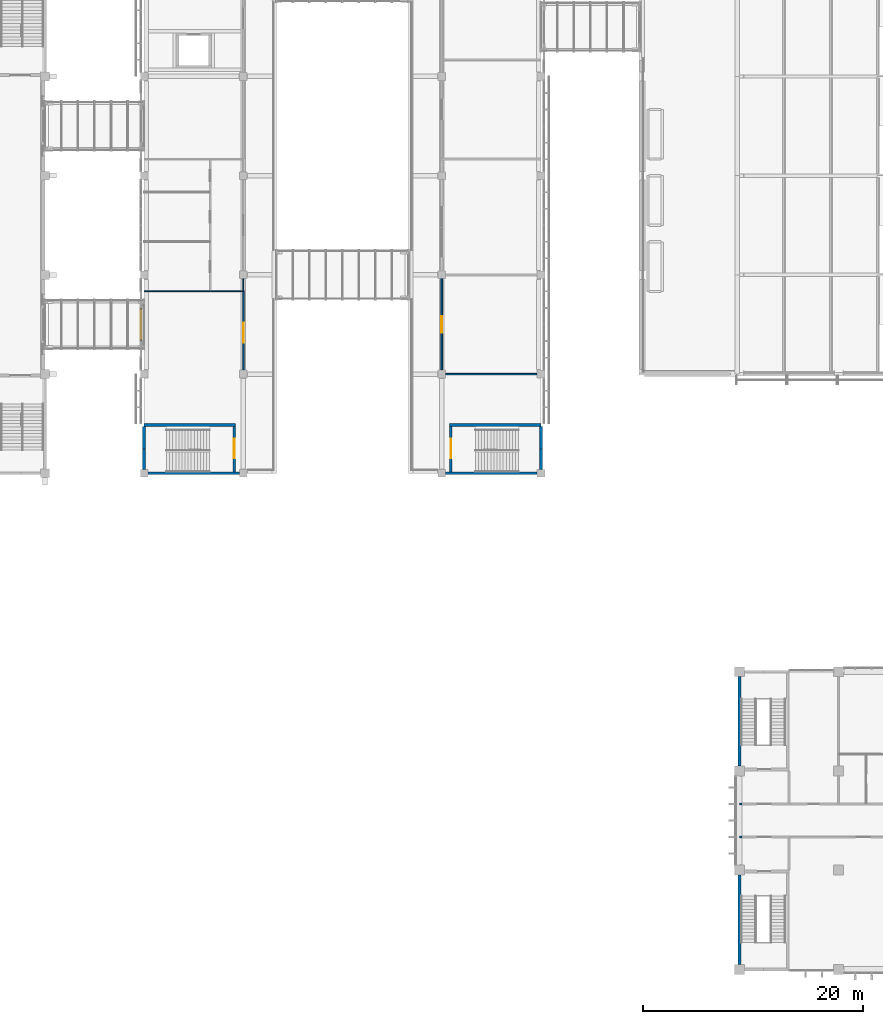
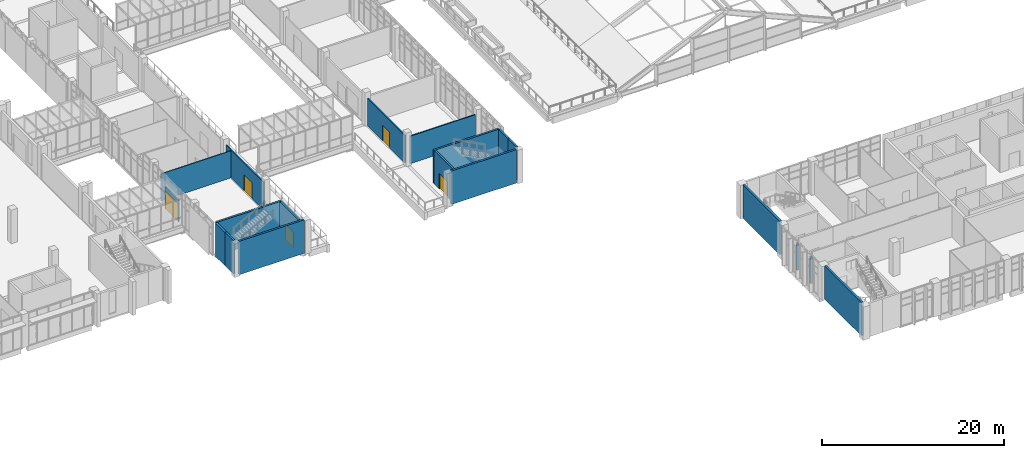
# One storey, part 70 of 106: 20 walls, 5 doors, 5 openings.
"""IFC4 building model written with IfcOpenShell, lengths in metres."""

import ifcopenshell
import ifcopenshell.guid

model = None  # the IFC model being written
_history = None  # IfcOwnerHistory: only IFC2X3 demands one
_inside = {}  # id of a spatial element -> (the spatial element, [elements in it])
_under = {}  # id of a project, library or spatial element -> (it, [spatial elements below it])
_declared = {}  # id of a project -> (the project, [libraries it declares])
_typed = {}  # id of a type object -> (the type object, [elements of that type])
_made_of = {}  # id of a material, layer set ... -> (it, [elements and type objects made of it])


def new_model(schema):
    """Start an empty IFC model of exactly this schema.

    Asked for "IFC4X3", IfcOpenShell would pick the latest addendum, in which some entities
    have other attributes; the version numbers below select the first issue.
    IFC2X3 requires an IfcOwnerHistory on every rooted entity: one is made here for all.
    """
    global model, _history
    if schema == "IFC4X3":
        model = ifcopenshell.file(schema_version=(4, 3, 0, 0))
    else:
        model = ifcopenshell.file(schema=schema)
    _inside.clear()
    _under.clear()
    _declared.clear()
    _typed.clear()
    _made_of.clear()
    _history = None
    if model.schema == "IFC2X3":
        org = make("IfcOrganization", Name="unknown")
        user = make(
            "IfcPersonAndOrganization",
            ThePerson=make("IfcPerson", FamilyName="unknown"),
            TheOrganization=org,
        )
        app = make(
            "IfcApplication",
            ApplicationDeveloper=org,
            Version="unknown",
            ApplicationFullName="unknown",
            ApplicationIdentifier="unknown",
        )
        _history = make(
            "IfcOwnerHistory",
            OwningUser=user,
            OwningApplication=app,
            ChangeAction="ADDED",
            CreationDate=0,
        )
    return model


def make(cls, **values):
    """One entity of the class cls with the attributes given. An attribute that is None is left unset."""
    return model.create_entity(
        cls, **{name: value for name, value in values.items() if value is not None}
    )


def rooted(cls, **values):
    """An entity with a GlobalId (a new one), such as an element, a storey or a relation."""
    return make(cls, GlobalId=ifcopenshell.guid.new(), OwnerHistory=_history, **values)


def si_unit(unit_type, name, prefix=None):
    """IfcSIUnit, for example si_unit("LENGTHUNIT", "METRE", prefix="MILLI")."""
    return make("IfcSIUnit", UnitType=unit_type, Prefix=prefix, Name=name)


def assignment(units):
    """IfcUnitAssignment: the units of a project."""
    return None if units is None else make("IfcUnitAssignment", Units=units)


def point(xyz):
    """IfcCartesianPoint."""
    return None if xyz is None else make("IfcCartesianPoint", Coordinates=xyz)


def direction(xyz):
    """IfcDirection."""
    return None if xyz is None else make("IfcDirection", DirectionRatios=xyz)


def frame(location, z_axis=None, x_axis=None):
    """IfcAxis2Placement3D, a coordinate frame: its origin and axes. An axis left out is left unset."""
    return make(
        "IfcAxis2Placement3D",
        Location=point(location),
        Axis=direction(z_axis),
        RefDirection=direction(x_axis),
    )


def frame_2d(location, x_axis=None):
    """IfcAxis2Placement2D, a coordinate frame in the plane: its origin and x axis."""
    return make(
        "IfcAxis2Placement2D", Location=point(location), RefDirection=direction(x_axis)
    )


def origin():
    """The frame at (0, 0, 0) with its axes left unset."""
    return frame((0.0, 0.0, 0.0))


def place(relative_to, where):
    """IfcLocalPlacement: puts the frame where relative to a parent placement (None: the world)."""
    return make(
        "IfcLocalPlacement", PlacementRelTo=relative_to, RelativePlacement=where
    )


def context(
    kind, dimensions, precision=None, world=None, true_north=None, identifier=None
):
    """IfcGeometricRepresentationContext, for example the 3D "Model" context."""
    return make(
        "IfcGeometricRepresentationContext",
        ContextIdentifier=identifier,
        ContextType=kind,
        CoordinateSpaceDimension=dimensions,
        Precision=precision,
        WorldCoordinateSystem=world,
        TrueNorth=true_north,
    )


def subcontext(parent, identifier, kind, view, scale=None):
    """IfcGeometricRepresentationSubContext, for example "Body" below "Model"."""
    return make(
        "IfcGeometricRepresentationSubContext",
        ContextIdentifier=identifier,
        ContextType=kind,
        ParentContext=parent,
        TargetScale=scale,
        TargetView=view,
    )


def project(units=None, contexts=None):
    """IfcProject with its units and contexts."""
    return rooted(
        "IfcProject",
        Name="project",
        RepresentationContexts=contexts,
        UnitsInContext=assignment(units),
    )


def spatial(cls, under=None, at=None, **own):
    """A site, building, storey or space (cls), placed at a placement, below another one or the project."""
    s = rooted(cls, ObjectPlacement=at, **own)
    if under is not None:
        _under.setdefault(under.id(), (under, []))[1].append(s)
    return s


def profile(cls, at=None, kind="AREA", **sizes):
    """A parametric profile (cls). Its sizes go by their IFC names, for example OverallWidth=200.0."""
    return make(cls, ProfileType=kind, Position=at, **sizes)


def rectangle(**sizes):
    """IfcRectangleProfileDef."""
    return profile("IfcRectangleProfileDef", **sizes)


def extrude(swept, where, along, depth):
    """IfcExtrudedAreaSolid: the profile swept, set in the frame where, extruded along a direction by depth."""
    return make(
        "IfcExtrudedAreaSolid",
        SweptArea=swept,
        Position=where,
        ExtrudedDirection=direction(along),
        Depth=depth,
    )


def shape(context_of_items, identifier, shape_type, items):
    """IfcShapeRepresentation: the items that make up one representation, for example the "Body"."""
    return make(
        "IfcShapeRepresentation",
        ContextOfItems=context_of_items,
        RepresentationIdentifier=identifier,
        RepresentationType=shape_type,
        Items=items,
    )


def material(Name=None, Category=None):
    """IfcMaterial."""
    return make("IfcMaterial", Name=Name, Category=Category)


def layer(
    of_material, thickness, ventilated=None, Name=None, Category=None, Priority=None
):
    """IfcMaterialLayer: one layer of a wall or slab, of a material (None: an air gap)."""
    return make(
        "IfcMaterialLayer",
        Material=of_material,
        LayerThickness=thickness,
        IsVentilated=ventilated,
        Name=Name,
        Category=Category,
        Priority=Priority,
    )


def layer_set(layers, Name=None):
    """IfcMaterialLayerSet."""
    return make("IfcMaterialLayerSet", MaterialLayers=layers, LayerSetName=Name)


def made_of(thing, what):
    """Note that an element or type object is made of a material, layer set ...; save() writes the relation."""
    if what is not None:
        _made_of.setdefault(what.id(), (what, []))[1].append(thing)
    return thing


def type_object(cls, material=None, **own):
    """A type object (cls), such as IfcWallType, which elements share."""
    return made_of(rooted(cls, **own), material)


def element(
    cls,
    number,
    at=None,
    inside=None,
    cuts=None,
    type_object=None,
    material=None,
    context=None,
    identifier="Body",
    shape_type=None,
    held_by="IfcProductDefinitionShape",
    body=None,
    shapes=None,
    **own,
):
    """One element of the class cls, such as IfcWall. Its Tag is "e" and its number.

    at: its placement. inside: the storey or other place that contains it. cuts: it is an
    opening in that element (IfcRelVoidsElement). A single representation is given by context,
    identifier, shape_type and body (its items); several are given by shapes. held_by: the class
    of the entity that holds the representations. save() writes the other relations.
    """
    e = rooted(cls, Tag="e%d" % number, ObjectPlacement=at, **own)
    if body is not None:
        shapes = [shape(context, identifier, shape_type, body)]
    if shapes is not None:
        e.Representation = make(held_by, Representations=shapes)
    if inside is not None:
        _inside.setdefault(inside.id(), (inside, []))[1].append(e)
    if cuts is not None:
        rooted(
            "IfcRelVoidsElement", RelatingBuildingElement=cuts, RelatedOpeningElement=e
        )
    if type_object is not None:
        _typed.setdefault(type_object.id(), (type_object, []))[1].append(e)
    return made_of(e, material)


def fill(opening, filler):
    """IfcRelFillsElement: the door or window that sits in an opening."""
    return rooted(
        "IfcRelFillsElement",
        RelatingOpeningElement=opening,
        RelatedBuildingElement=filler,
    )


def aggregate(whole, parts):
    """IfcRelAggregates: a whole, such as a stair, and the parts it consists of."""
    return rooted("IfcRelAggregates", RelatingObject=whole, RelatedObjects=parts)


def save(model, path):
    """Write the relations noted so far, then the file.

    IfcRelAggregates (storeys below a building ...), IfcRelContainedInSpatialStructure (elements
    in a storey), IfcRelDefinesByType, IfcRelAssociatesMaterial and IfcRelDeclares: one each for
    every whole, place, type object, material and project.
    """
    for whole, parts in _under.values():
        aggregate(whole, parts)
    for where, things in _inside.values():
        rooted(
            "IfcRelContainedInSpatialStructure",
            RelatedElements=things,
            RelatingStructure=where,
        )
    for kind, things in _typed.values():
        rooted("IfcRelDefinesByType", RelatedObjects=things, RelatingType=kind)
    for what, things in _made_of.values():
        rooted("IfcRelAssociatesMaterial", RelatedObjects=things, RelatingMaterial=what)
    for by, libraries in _declared.values():
        rooted("IfcRelDeclares", RelatingContext=by, RelatedDefinitions=libraries)
    model.write(path)


model = new_model("IFC4")

# Units and contexts
model_context = context("Model", 3, precision=1e-05, world=origin(), true_north=direction((0.0, 1.0)))
body_context = subcontext(model_context, "Body", "Model", "MODEL_VIEW")
ifc_project = project(units=[si_unit("LENGTHUNIT", "METRE"), si_unit("AREAUNIT", "SQUARE_METRE"), si_unit("VOLUMEUNIT", "CUBIC_METRE"), si_unit("PLANEANGLEUNIT", "RADIAN"), si_unit("MASSUNIT", "GRAM", prefix="KILO")], contexts=[model_context])

# Site, building, storey
site_placement = place(None, origin())
site = spatial("IfcSite", under=ifc_project, at=site_placement, CompositionType="ELEMENT")
building_placement = place(site_placement, origin())
building = spatial("IfcBuilding", under=site, at=building_placement, Name="Guidao Yard Department Store", CompositionType="ELEMENT")
storey_placement = place(building_placement, frame((0.0, 0.0, 10.5)))
storey = spatial("IfcBuildingStorey", under=building, at=storey_placement, Name="L02", CompositionType="ELEMENT", Elevation=10.5)

# Wall, opening, door
ifc_material_1 = material(Name="Aluminium 6063-T5", Category="aluminium")
ifc_layer_1 = layer(ifc_material_1, 0.1201171875)
ifc_layer_set_1 = layer_set([ifc_layer_1], Name="Glazing frame wall 120")
wall_type_1 = type_object("IfcWallType", Name="Glazing frame wall 120", PredefinedType="STANDARD", material=ifc_layer_set_1)
wall_1_placement = place(storey_placement, frame((71.719970703125, 57.030029296875, 0.0), z_axis=(0.0, 0.0, 1.0), x_axis=(0.0, 1.0, 0.0)))
wall_1 = element("IfcWall", 1, at=wall_1_placement, inside=storey, type_object=wall_type_1, Name="Frame wall for Bridge door BR03", PredefinedType="STANDARD", context=body_context, shape_type="SweptSolid", body=[
    extrude(rectangle(XDim=2.93994140625, YDim=0.1201171875, at=frame_2d((1.469970703125, 0.0))), origin(), (0.0, 0.0, 1.0), 2.969970703125),
])
opening_1_placement = place(wall_1_placement, frame((0.070068359375, 0.0, 0.0)))
opening_1 = element("IfcOpeningElement", 2, at=opening_1_placement, cuts=wall_1, Name="Opening L02-852", PredefinedType="OPENING", context=body_context, shape_type="SweptSolid", body=[
    extrude(rectangle(XDim=2.800048828125, YDim=2.39990234375, at=frame_2d((1.39990234375, 1.199951171875))), frame((0.0, 0.070068359375, 0.0), z_axis=(0.0, -1.0, 0.0), x_axis=(1.0, 0.0, 0.0)), (0.0, 0.0, 1.0), 0.14013671875),
])
ifc_material_2 = material(Name="Fire-resistant glass in steel frame", Category="steel")
door_type_1 = type_object("IfcDoorType", Name="Bridge door BD1 2800 x 2400 fire-rated glazed double leaf", OperationType="DOUBLE_DOOR_SINGLE_SWING", PredefinedType="DOOR", material=ifc_material_2)
door_1_placement = place(opening_1_placement, origin())
door_1 = element("IfcDoor", 3, at=door_1_placement, inside=storey, type_object=door_type_1, Name="Bridge door BR03", OperationType="DOUBLE_DOOR_SINGLE_SWING", OverallHeight=2.39990234375, OverallWidth=2.800048828125, PredefinedType="DOOR", context=body_context, shape_type="SweptSolid", body=[
    extrude(rectangle(XDim=2.800048828125, YDim=2.39990234375, at=frame_2d((1.39990234375, 1.199951171875))), frame((0.0, 0.02490234375, 0.0), z_axis=(0.0, -1.0, 0.0), x_axis=(1.0, 0.0, 0.0)), (0.0, 0.0, 1.0), 0.050048828125),
])
fill(opening_1, door_1)

# Walls
ifc_material_3 = material(Name="Gypsum board on Steel Q235 studs", Category="steel")
ifc_layer_2 = layer(ifc_material_3, 0.10009765625)
ifc_layer_set_2 = layer_set([ifc_layer_2], Name="Partition P1 100 mm gypsum board EI 30")
wall_type_2 = type_object("IfcWallType", Name="Partition P1 100 mm gypsum board EI 30", PredefinedType="PARTITIONING", material=ifc_layer_set_2)
wall_2_placement = place(storey_placement, frame((72.0, 61.5, 0.0), z_axis=(0.0, 0.0, 1.0), x_axis=(1.0, 0.0, 0.0)))
element("IfcWall", 4, at=wall_2_placement, inside=storey, type_object=wall_type_2, Name="Wall W-AL02-004", PredefinedType="PARTITIONING", context=body_context, shape_type="SweptSolid", body=[
    extrude(rectangle(XDim=9.074951171875, YDim=0.10009765625, at=frame_2d((4.53759765625, 0.0))), origin(), (0.0, 0.0, 1.0), 3.64990234375),
])
wall_3_placement = place(storey_placement, frame((81.0, 61.550048828125, 0.0), z_axis=(0.0, 0.0, 1.0), x_axis=(0.0, 1.0, 0.0)))
element("IfcWall", 5, at=wall_3_placement, inside=storey, type_object=wall_type_2, Name="Wall W-AL02-006", PredefinedType="PARTITIONING", context=body_context, shape_type="SweptSolid", body=[
    extrude(rectangle(XDim=1.099853515625, YDim=0.10009765625, at=frame_2d((0.5498046875, 0.0))), origin(), (0.0, 0.0, 1.0), 3.699951171875),
])
ifc_material_4 = material(Name="Autoclaved aerated concrete block A3.5 B06", Category="concrete")
ifc_layer_3 = layer(ifc_material_4, 0.199951171875)
ifc_layer_set_3 = layer_set([ifc_layer_3], Name="Shaft Wall 200 Autoclaved Block EI 120")
wall_type_3 = type_object("IfcWallType", Name="Shaft Wall 200 Autoclaved Block EI 120", PredefinedType="PARTITIONING", material=ifc_layer_set_3)
for number, where, z_axis, x_axis, name in (
    (6, (126.0, 12.0, 0.0), (0.0, 0.0, 1.0), (1.0, 0.0, 0.0), "pt.wall.L02.0005"),
    (7, (126.0, 15.0, 0.0), (0.0, 0.0, 1.0), (1.0, 0.0, 0.0), "pt.wall.L02.0009"),
):
    element("IfcWall", number, at=place(storey_placement, frame(where, z_axis=z_axis, x_axis=x_axis)), inside=storey, type_object=wall_type_3, Name=name, PredefinedType="PARTITIONING", context=body_context, shape_type="SweptSolid", body=[
        extrude(rectangle(XDim=0.25, YDim=0.199951171875, at=frame_2d((0.125, 0.0))), origin(), (0.0, 0.0, 1.0), 3.60009765625),
    ])
ifc_material_5 = material(Name="Concrete block MU10", Category="concrete")
ifc_layer_4 = layer(ifc_material_5, 0.14990234375)
ifc_layer_set_4 = layer_set([ifc_layer_4], Name="Wall P2 150 mm blockwork EI 60")
wall_type_4 = type_object("IfcWallType", Name="Wall P2 150 mm blockwork EI 60", PredefinedType="PARTITIONING", material=ifc_layer_set_4)
wall_4_placement = place(storey_placement, frame((99.35009765625, 54.0, 0.0), z_axis=(0.0, 0.0, 1.0), x_axis=(1.0, 0.0, 0.0)))
element("IfcWall", 8, at=wall_4_placement, inside=storey, type_object=wall_type_4, Name="Wall W-AL02-001", PredefinedType="PARTITIONING", context=body_context, shape_type="SweptSolid", body=[
    extrude(rectangle(XDim=8.2998046875, YDim=0.14990234375, at=frame_2d((4.14990234375, 0.0))), origin(), (0.0, 0.0, 1.0), 3.699951171875),
])

# Wall, opening, door
wall_5_placement = place(storey_placement, frame((81.0, 54.35009765625, 0.0), z_axis=(0.0, 0.0, 1.0), x_axis=(0.0, 1.0, 0.0)))
wall_5 = element("IfcWall", 9, at=wall_5_placement, inside=storey, type_object=wall_type_4, Name="Wall W-AL02-002", PredefinedType="PARTITIONING", context=body_context, shape_type="SweptSolid", body=[
    extrude(rectangle(XDim=7.099853515625, YDim=0.14990234375, at=frame_2d((3.5498046875, 0.0))), origin(), (0.0, 0.0, 1.0), 3.699951171875),
])
opening_2_placement = place(wall_5_placement, frame((2.5, 0.0, 0.0)))
opening_2 = element("IfcOpeningElement", 10, at=opening_2_placement, cuts=wall_5, Name="Opening AL02-001", PredefinedType="OPENING", context=body_context, shape_type="SweptSolid", body=[
    extrude(rectangle(XDim=1.800048828125, YDim=2.10009765625, at=frame_2d((0.89990234375, 1.050048828125))), frame((0.0, 0.0849609375, 0.0), z_axis=(0.0, -1.0, 0.0), x_axis=(1.0, 0.0, 0.0)), (0.0, 0.0, 1.0), 0.169921875),
])
ifc_material_6 = material(Name="Steel Q235", Category="steel")
door_type_2 = type_object("IfcDoorType", Name="Door FD5 double 1800 x 2100 FD60", OperationType="DOUBLE_DOOR_SINGLE_SWING", PredefinedType="DOOR", material=ifc_material_6)
door_2_placement = place(opening_2_placement, origin())
door_2 = element("IfcDoor", 11, at=door_2_placement, inside=storey, type_object=door_type_2, Name="Door AL02-001", OperationType="DOUBLE_DOOR_SINGLE_SWING", OverallHeight=2.10009765625, OverallWidth=1.800048828125, PredefinedType="DOOR", context=body_context, shape_type="SweptSolid", body=[
    extrude(rectangle(XDim=1.800048828125, YDim=2.10009765625, at=frame_2d((0.89990234375, 1.050048828125))), frame((0.0, 0.02490234375, 0.0), z_axis=(0.0, -1.0, 0.0), x_axis=(1.0, 0.0, 0.0)), (0.0, 0.0, 1.0), 0.050048828125),
])
fill(opening_2, door_2)

wall_6_placement = place(storey_placement, frame((99.0, 54.35009765625, 0.0), z_axis=(0.0, 0.0, 1.0), x_axis=(0.0, 1.0, 0.0)))
wall_6 = element("IfcWall", 12, at=wall_6_placement, inside=storey, type_object=wall_type_4, Name="Wall W-AL02-003", PredefinedType="PARTITIONING", context=body_context, shape_type="SweptSolid", body=[
    extrude(rectangle(XDim=8.2998046875, YDim=0.14990234375, at=frame_2d((4.14990234375, 0.0))), origin(), (0.0, 0.0, 1.0), 3.699951171875),
])
opening_3_placement = place(wall_6_placement, frame((4.89990234375, 0.0, 0.0), z_axis=(0.0, 0.0, 1.0), x_axis=(-1.0, 0.0, 0.0)))
opening_3 = element("IfcOpeningElement", 13, at=opening_3_placement, cuts=wall_6, Name="Opening AL02-002", PredefinedType="OPENING", context=body_context, shape_type="SweptSolid", body=[
    extrude(rectangle(XDim=1.5, YDim=2.10009765625, at=frame_2d((0.75, 1.050048828125))), frame((0.0, 0.0849609375, 0.0), z_axis=(0.0, -1.0, 0.0), x_axis=(1.0, 0.0, 0.0)), (0.0, 0.0, 1.0), 0.169921875),
])
ifc_material_7 = material(Name="Steel Q235", Category="steel")
door_type_3 = type_object("IfcDoorType", Name="Door FD11 trolley double 1500 x 2100 FD60", OperationType="DOUBLE_DOOR_SINGLE_SWING", PredefinedType="DOOR", material=ifc_material_7)
door_3_placement = place(opening_3_placement, origin())
door_3 = element("IfcDoor", 14, at=door_3_placement, inside=storey, type_object=door_type_3, Name="Door AL02-002", OperationType="DOUBLE_DOOR_SINGLE_SWING", OverallHeight=2.10009765625, OverallWidth=1.5, PredefinedType="DOOR", context=body_context, shape_type="SweptSolid", body=[
    extrude(rectangle(XDim=1.5, YDim=2.10009765625, at=frame_2d((0.75, 1.050048828125))), frame((0.0, 0.02490234375, 0.0), z_axis=(0.0, -1.0, 0.0), x_axis=(1.0, 0.0, 0.0)), (0.0, 0.0, 1.0), 0.050048828125),
])
fill(opening_3, door_3)

# Walls
ifc_material_8 = material(Name="Concrete C40", Category="concrete")
ifc_layer_5 = layer(ifc_material_8, 0.25)
ifc_layer_set_5 = layer_set([ifc_layer_5], Name="Wall RC 250 C40 stair and shaft")
wall_type_5 = type_object("IfcWallType", Name="Wall RC 250 C40 stair and shaft", PredefinedType="SHEAR", material=ifc_layer_set_5)
wall_7_placement = place(storey_placement, frame((72.35009765625, 45.0, 0.0), z_axis=(0.0, 0.0, 1.0), x_axis=(1.0, 0.0, 0.0)))
element("IfcWall", 15, at=wall_7_placement, inside=storey, type_object=wall_type_5, Name="Stair wall SG1", PredefinedType="SHEAR", context=body_context, shape_type="SweptSolid", body=[
    extrude(rectangle(XDim=8.2998046875, YDim=0.25, at=frame_2d((4.14990234375, 0.0))), origin(), (0.0, 0.0, 1.0), 4.5),
])
wall_8_placement = place(storey_placement, frame((72.0, 49.375, 0.0), z_axis=(0.0, 0.0, 1.0), x_axis=(1.0, 0.0, 0.0)))
element("IfcWall", 16, at=wall_8_placement, inside=storey, type_object=wall_type_5, Name="Stair wall SG1", PredefinedType="SHEAR", context=body_context, shape_type="SweptSolid", body=[
    extrude(rectangle(XDim=8.300048828125, YDim=0.25, at=frame_2d((4.14990234375, 0.0))), origin(), (0.0, 0.0, 1.0), 4.5),
])
wall_9_placement = place(storey_placement, frame((72.0, 45.35009765625, 0.0), z_axis=(0.0, 0.0, 1.0), x_axis=(0.0, 1.0, 0.0)))
element("IfcWall", 17, at=wall_9_placement, inside=storey, type_object=wall_type_5, Name="Stair wall SG1", PredefinedType="SHEAR", context=body_context, shape_type="SweptSolid", body=[
    extrude(rectangle(XDim=1.837890625, YDim=0.25, at=frame_2d((0.9189453125, 0.0))), origin(), (0.0, 0.0, 1.0), 4.5),
])
wall_10_placement = place(storey_placement, frame((72.0, 47.18798828125, 0.0), z_axis=(0.0, 0.0, 1.0), x_axis=(0.0, 1.0, 0.0)))
element("IfcWall", 18, at=wall_10_placement, inside=storey, type_object=wall_type_5, Name="Stair wall SG1", PredefinedType="SHEAR", context=body_context, shape_type="SweptSolid", body=[
    extrude(rectangle(XDim=2.06201171875, YDim=0.25, at=frame_2d((1.031005859375, 0.0))), origin(), (0.0, 0.0, 1.0), 4.5),
])

# Wall, opening, door
wall_11_placement = place(storey_placement, frame((80.175048828125, 45.125, 0.0), z_axis=(0.0, 0.0, 1.0), x_axis=(0.0, 1.0, 0.0)))
wall_11 = element("IfcWall", 19, at=wall_11_placement, inside=storey, type_object=wall_type_5, Name="Stair wall SG1", PredefinedType="SHEAR", context=body_context, shape_type="SweptSolid", body=[
    extrude(rectangle(XDim=4.125, YDim=0.25, at=frame_2d((2.0625, 0.0))), origin(), (0.0, 0.0, 1.0), 4.5),
])
opening_4_placement = place(wall_11_placement, frame((3.025146484375, 0.0, 0.0), z_axis=(0.0, 0.0, 1.0), x_axis=(-1.0, 0.0, 0.0)))
opening_4 = element("IfcOpeningElement", 20, at=opening_4_placement, cuts=wall_11, Name="Opening L02-809", PredefinedType="OPENING", context=body_context, shape_type="SweptSolid", body=[
    extrude(rectangle(XDim=1.800048828125, YDim=2.10009765625, at=frame_2d((0.89990234375, 1.050048828125))), frame((0.0, 0.135009765625, 0.0), z_axis=(0.0, -1.0, 0.0), x_axis=(1.0, 0.0, 0.0)), (0.0, 0.0, 1.0), 0.27001953125),
])
ifc_material_9 = material(Name="Steel Q235", Category="steel")
door_type_4 = type_object("IfcDoorType", Name="Door fire-resisting 1800 x 2100 FD60", OperationType="DOUBLE_DOOR_SINGLE_SWING", PredefinedType="DOOR", material=ifc_material_9)
door_4_placement = place(opening_4_placement, origin())
door_4 = element("IfcDoor", 21, at=door_4_placement, inside=storey, type_object=door_type_4, Name="Stair G1 door L02", OperationType="DOUBLE_DOOR_SINGLE_SWING", OverallHeight=2.10009765625, OverallWidth=1.800048828125, PredefinedType="DOOR", context=body_context, shape_type="SweptSolid", body=[
    extrude(rectangle(XDim=1.800048828125, YDim=2.10009765625, at=frame_2d((0.89990234375, 1.050048828125))), frame((0.0, 0.02490234375, 0.0), z_axis=(0.0, -1.0, 0.0), x_axis=(1.0, 0.0, 0.0)), (0.0, 0.0, 1.0), 0.050048828125),
])
fill(opening_4, door_4)

# Walls
wall_12_placement = place(storey_placement, frame((99.35009765625, 45.0, 0.0), z_axis=(0.0, 0.0, 1.0), x_axis=(1.0, 0.0, 0.0)))
element("IfcWall", 22, at=wall_12_placement, inside=storey, type_object=wall_type_5, Name="Stair wall SG3", PredefinedType="SHEAR", context=body_context, shape_type="SweptSolid", body=[
    extrude(rectangle(XDim=8.2998046875, YDim=0.25, at=frame_2d((4.14990234375, 0.0))), origin(), (0.0, 0.0, 1.0), 4.5),
])
wall_13_placement = place(storey_placement, frame((99.699951171875, 49.375, 0.0), z_axis=(0.0, 0.0, 1.0), x_axis=(1.0, 0.0, 0.0)))
element("IfcWall", 23, at=wall_13_placement, inside=storey, type_object=wall_type_5, Name="Stair wall SG3", PredefinedType="SHEAR", context=body_context, shape_type="SweptSolid", body=[
    extrude(rectangle(XDim=8.300048828125, YDim=0.25, at=frame_2d((4.14990234375, 0.0))), origin(), (0.0, 0.0, 1.0), 4.5),
])

# Wall, opening, door
wall_14_placement = place(storey_placement, frame((99.824951171875, 45.125, 0.0), z_axis=(0.0, 0.0, 1.0), x_axis=(0.0, 1.0, 0.0)))
wall_14 = element("IfcWall", 24, at=wall_14_placement, inside=storey, type_object=wall_type_5, Name="Stair wall SG3", PredefinedType="SHEAR", context=body_context, shape_type="SweptSolid", body=[
    extrude(rectangle(XDim=4.125, YDim=0.25, at=frame_2d((2.0625, 0.0))), origin(), (0.0, 0.0, 1.0), 4.5),
])
opening_5_placement = place(wall_14_placement, frame((1.22509765625, 0.0, 0.0)))
opening_5 = element("IfcOpeningElement", 25, at=opening_5_placement, cuts=wall_14, Name="Opening L02-811", PredefinedType="OPENING", context=body_context, shape_type="SweptSolid", body=[
    extrude(rectangle(XDim=1.800048828125, YDim=2.10009765625, at=frame_2d((0.89990234375, 1.050048828125))), frame((0.0, 0.135009765625, 0.0), z_axis=(0.0, -1.0, 0.0), x_axis=(1.0, 0.0, 0.0)), (0.0, 0.0, 1.0), 0.27001953125),
])
door_5_placement = place(opening_5_placement, origin())
door_5 = element("IfcDoor", 26, at=door_5_placement, inside=storey, type_object=door_type_4, Name="Stair G3 door L02", OperationType="DOUBLE_DOOR_SINGLE_SWING", OverallHeight=2.10009765625, OverallWidth=1.800048828125, PredefinedType="DOOR", context=body_context, shape_type="SweptSolid", body=[
    extrude(rectangle(XDim=1.800048828125, YDim=2.10009765625, at=frame_2d((0.89990234375, 1.050048828125))), frame((0.0, 0.02490234375, 0.0), z_axis=(0.0, -1.0, 0.0), x_axis=(1.0, 0.0, 0.0)), (0.0, 0.0, 1.0), 0.050048828125),
])
fill(opening_5, door_5)

# Walls
wall_15_placement = place(storey_placement, frame((108.0, 45.35009765625, 0.0), z_axis=(0.0, 0.0, 1.0), x_axis=(0.0, 1.0, 0.0)))
element("IfcWall", 27, at=wall_15_placement, inside=storey, type_object=wall_type_5, Name="Stair wall SG3", PredefinedType="SHEAR", context=body_context, shape_type="SweptSolid", body=[
    extrude(rectangle(XDim=1.837890625, YDim=0.25, at=frame_2d((0.9189453125, 0.0))), origin(), (0.0, 0.0, 1.0), 4.5),
])
wall_16_placement = place(storey_placement, frame((108.0, 47.18798828125, 0.0), z_axis=(0.0, 0.0, 1.0), x_axis=(0.0, 1.0, 0.0)))
element("IfcWall", 28, at=wall_16_placement, inside=storey, type_object=wall_type_5, Name="Stair wall SG3", PredefinedType="SHEAR", context=body_context, shape_type="SweptSolid", body=[
    extrude(rectangle(XDim=2.06201171875, YDim=0.25, at=frame_2d((1.031005859375, 0.0))), origin(), (0.0, 0.0, 1.0), 4.5),
])
for number, where, z_axis, x_axis, name in (
    (29, (126.0, 0.449951171875, 0.0), (0.0, 0.0, 1.0), (0.0, 1.0, 0.0), "Stair wall SO1"),
    (30, (126.0, 18.449951171875, 0.0), (0.0, 0.0, 1.0), (0.0, 1.0, 0.0), "Stair wall SO3"),
):
    element("IfcWall", number, at=place(storey_placement, frame(where, z_axis=z_axis, x_axis=x_axis)), inside=storey, type_object=wall_type_5, Name=name, PredefinedType="SHEAR", context=body_context, shape_type="SweptSolid", body=[
        extrude(rectangle(XDim=8.10009765625, YDim=0.25, at=frame_2d((4.050048828125, 0.0))), origin(), (0.0, 0.0, 1.0), 4.5),
    ])

save(model, "model.ifc")
